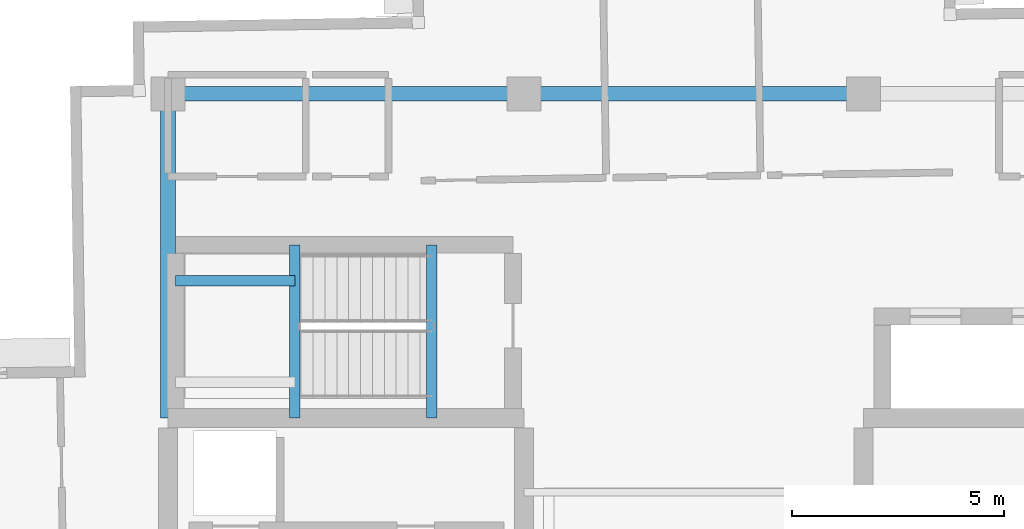
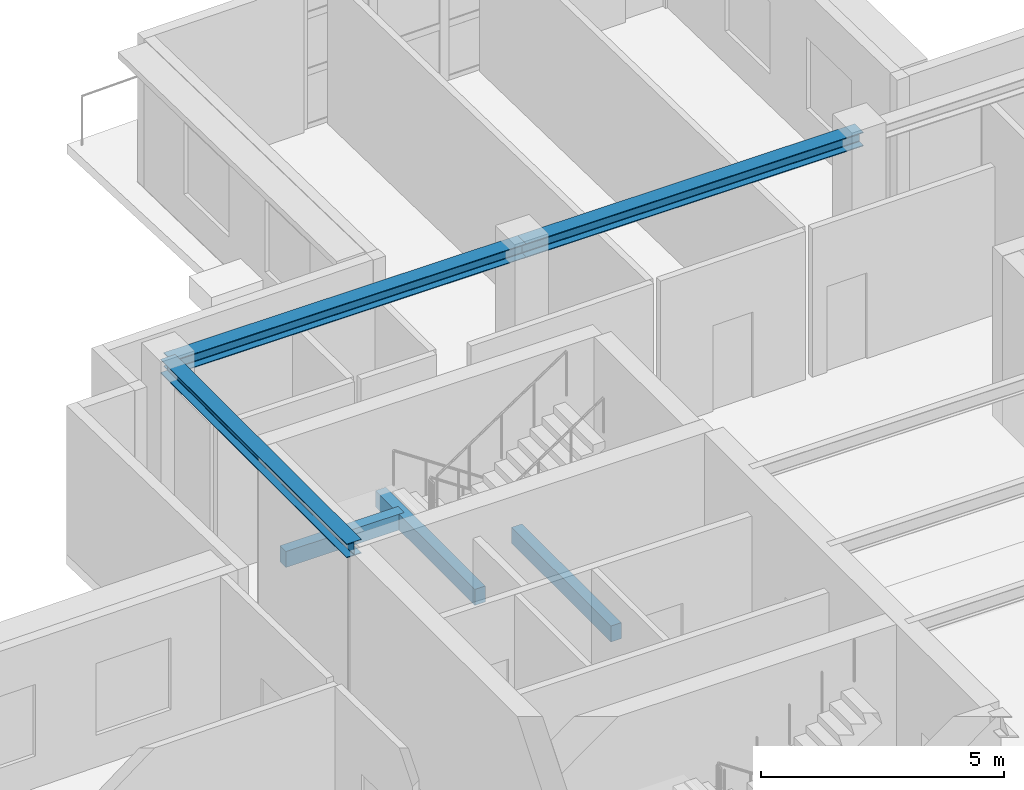
# One storey, part 7 of 18: 6 beams.
"""IFC4 building model written with IfcOpenShell, lengths in metres."""

from ifc_helpers import new_model, si_unit, direction, frame, origin, origin_2d, place, context, subcontext, project, spatial, rectangle, i_section, extrude, material, material_profile, profile_set, type_object, element, save


model = new_model("IFC4")

# Units and contexts
model_context = context("Model", 3, precision=1e-05, world=origin(), true_north=direction((0.0, 1.0)))
body_context = subcontext(model_context, "Body", "Model", "MODEL_VIEW")
ifc_project = project(units=[si_unit("LENGTHUNIT", "METRE"), si_unit("AREAUNIT", "SQUARE_METRE"), si_unit("VOLUMEUNIT", "CUBIC_METRE"), si_unit("PLANEANGLEUNIT", "RADIAN"), si_unit("MASSUNIT", "GRAM", prefix="KILO")], contexts=[model_context])

# Site, building, storey
site_placement = place(None, origin())
site = spatial("IfcSite", under=ifc_project, at=site_placement, CompositionType="ELEMENT")
building_placement = place(site_placement, origin())
building = spatial("IfcBuilding", under=site, at=building_placement, Name="Qingluan Cross Belvedere", CompositionType="ELEMENT")
storey_placement = place(building_placement, frame((0.0, 0.0, 303.89990234375)))
storey = spatial("IfcBuildingStorey", under=building, at=storey_placement, Name="L75", CompositionType="ELEMENT", Elevation=303.89990234375)

# Beams
ifc_material_1 = material(Name="Concrete C45", Category="concrete")
ifc_material_profile_1 = material_profile(ifc_material_1, rectangle(XDim=0.25, YDim=0.39990234375, at=origin_2d()), Name="RC250x400")
ifc_profile_set_1 = profile_set([ifc_material_profile_1], Name="Concrete C45")
beam_type_1 = type_object("IfcBeamType", Name="RC_Lintel_RC250x400", PredefinedType="LINTEL", material=ifc_profile_set_1)
for number, where, z_axis, x_axis, name in (
    (1, (-6.179931640625, 4.949951171875, -0.199951171875), (0.0, 1.0, 0.0), (-1.0, 0.0, 0.0), "Stair ST3 landing beam L75"),
    (2, (-9.409912109375, 4.949951171875, 1.85009765625), (0.0, 1.0, 0.0), (-1.0, 0.0, 0.0), "Stair ST3 beam A L75"),
):
    element("IfcBeam", number, at=place(storey_placement, frame(where, z_axis=z_axis, x_axis=x_axis)), inside=storey, type_object=beam_type_1, Name=name, PredefinedType="LINTEL", context=body_context, shape_type="SweptSolid", body=[
        extrude(rectangle(XDim=0.25, YDim=0.39990234375, at=origin_2d()), origin(), (0.0, 0.0, 1.0), 4.090087890625),
    ])
beam_1_placement = place(storey_placement, frame((-12.219970703125, 8.18994140625, 1.85009765625), z_axis=(1.0, 0.0, 0.0), x_axis=(0.0, 1.0, 0.0)))
element("IfcBeam", 3, at=beam_1_placement, inside=storey, type_object=beam_type_1, Name="Stair ST3 beam C L75", PredefinedType="LINTEL", context=body_context, shape_type="SweptSolid", body=[
    extrude(rectangle(XDim=0.25, YDim=0.39990234375, at=origin_2d()), origin(), (0.0, 0.0, 1.0), 2.81005859375),
])
ifc_material_2 = material(Name="Steel Q420GJB", Category="steel")
ifc_material_profile_2 = material_profile(ifc_material_2, i_section(OverallWidth=0.35009765625, OverallDepth=0.35009765625, WebThickness=0.011962890625, FlangeThickness=0.01904296875, FilletRadius=0.02001953125, at=origin_2d()), Name="HW350x350x12x19")
ifc_profile_set_2 = profile_set([ifc_material_profile_2], Name="Steel Q420GJB")
beam_type_2 = type_object("IfcBeamType", Name="Steel_Girder_HW350x350x12x19", PredefinedType="USERDEFINED", material=ifc_profile_set_2)
beam_2_placement = place(storey_placement, frame((-12.39990234375, 12.60009765625, 4.0751953125), z_axis=(1.0, 0.0, 0.0), x_axis=(0.0, 1.0, 0.0)))
element("IfcBeam", 4, at=beam_2_placement, inside=storey, type_object=beam_type_2, Name="Hub girder L75-HG-N1", ObjectType="GIRDER", PredefinedType="USERDEFINED", context=body_context, shape_type="SweptSolid", body=[
    extrude(i_section(OverallWidth=0.35009765625, OverallDepth=0.35009765625, WebThickness=0.011962890625, FlangeThickness=0.01904296875, FilletRadius=0.02001953125, at=origin_2d()), origin(), (0.0, 0.0, 1.0), 8.39990234375),
])
beam_3_placement = place(storey_placement, frame((-4.0, 12.60009765625, 4.0751953125), z_axis=(1.0, 0.0, 0.0), x_axis=(0.0, 1.0, 0.0)))
element("IfcBeam", 5, at=beam_3_placement, inside=storey, type_object=beam_type_2, Name="Hub girder L75-HG-N2", ObjectType="GIRDER", PredefinedType="USERDEFINED", context=body_context, shape_type="SweptSolid", body=[
    extrude(i_section(OverallWidth=0.35009765625, OverallDepth=0.35009765625, WebThickness=0.011962890625, FlangeThickness=0.01904296875, FilletRadius=0.02001953125, at=origin_2d()), origin(), (0.0, 0.0, 1.0), 8.0),
])
beam_4_placement = place(storey_placement, frame((-12.39990234375, 4.949951171875, 4.0751953125), z_axis=(0.0, 1.0, 0.0), x_axis=(-1.0, 0.0, 0.0)))
element("IfcBeam", 6, at=beam_4_placement, inside=storey, type_object=beam_type_2, Name="Hub girder L75-HG-W2", ObjectType="GIRDER", PredefinedType="USERDEFINED", context=body_context, shape_type="SweptSolid", body=[
    extrude(i_section(OverallWidth=0.35009765625, OverallDepth=0.35009765625, WebThickness=0.011962890625, FlangeThickness=0.01904296875, FilletRadius=0.02001953125, at=origin_2d()), origin(), (0.0, 0.0, 1.0), 7.650146484375),
])

save(model, "model.ifc")
